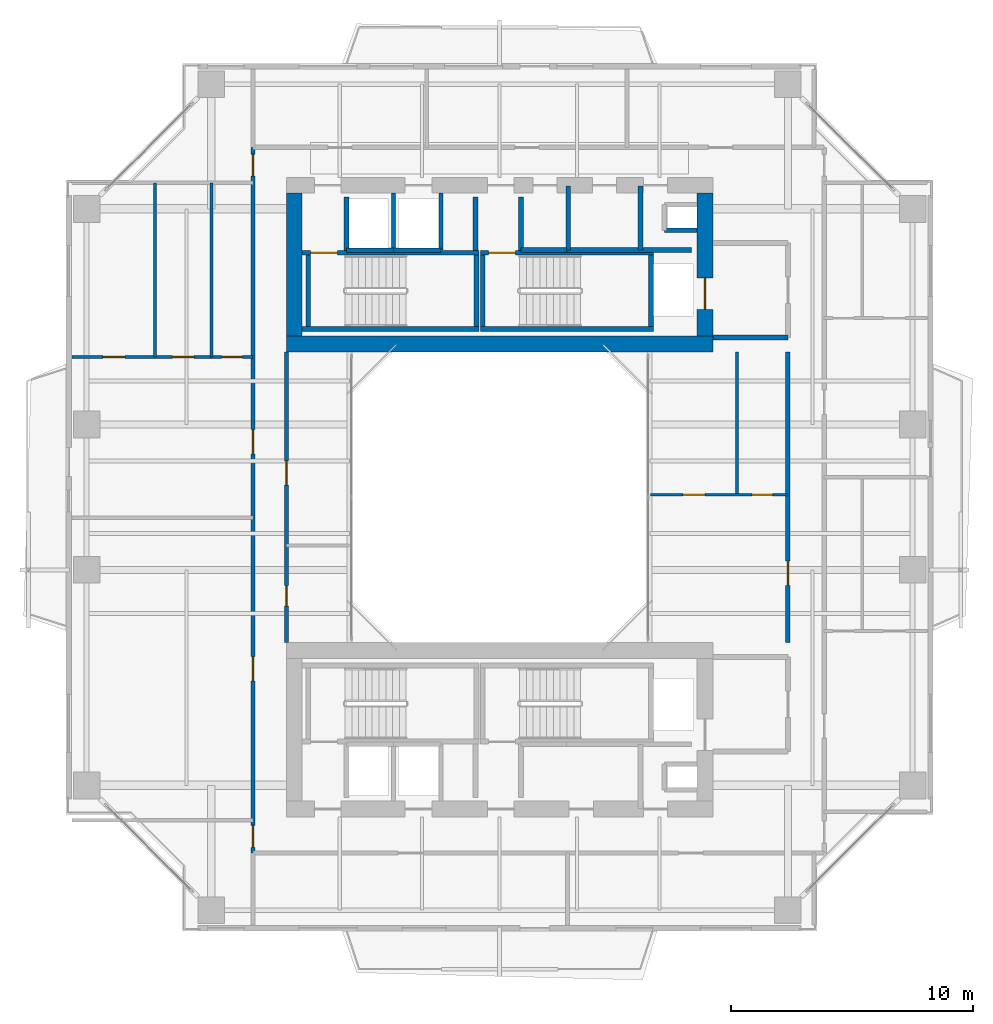
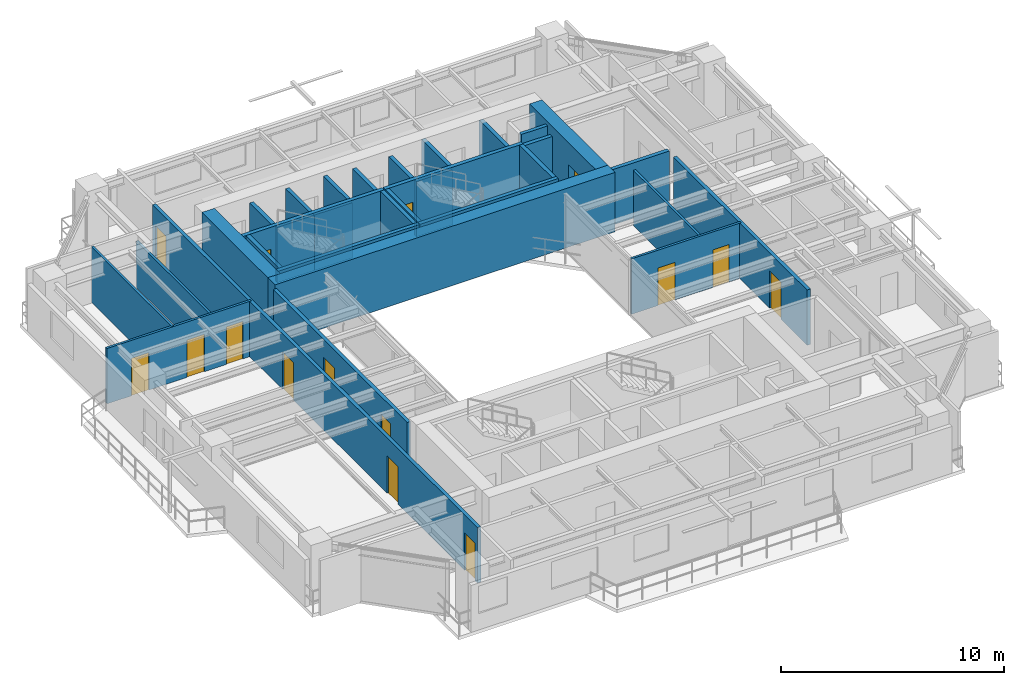
# One storey, part 11 of 16: 32 walls, 15 doors, 15 openings.
"""IFC4 building model written with IfcOpenShell, lengths in metres."""

from ifc_helpers import new_model, si_unit, direction, frame, frame_2d, origin, place, context, subcontext, project, spatial, rectangle, extrude, source, transform, mapped, material, layer, layer_set, type_object, element, fill, save


model = new_model("IFC4")

# Units and contexts
model_context = context("Model", 3, precision=1e-05, world=origin(), true_north=direction((0.0, 1.0)))
body_context = subcontext(model_context, "Body", "Model", "MODEL_VIEW")
ifc_project = project(units=[si_unit("LENGTHUNIT", "METRE"), si_unit("AREAUNIT", "SQUARE_METRE"), si_unit("VOLUMEUNIT", "CUBIC_METRE"), si_unit("PLANEANGLEUNIT", "RADIAN"), si_unit("MASSUNIT", "GRAM", prefix="KILO"), si_unit("THERMODYNAMICTEMPERATUREUNIT", "KELVIN"), si_unit("POWERUNIT", "WATT")], contexts=[model_context])

# Site, building, storey
site_placement = place(None, origin())
site = spatial("IfcSite", under=ifc_project, at=site_placement, CompositionType="ELEMENT")
building_placement = place(site_placement, origin())
building = spatial("IfcBuilding", under=site, at=building_placement, Name="Qiaomeng Ring Towers", CompositionType="ELEMENT")
storey_placement = place(building_placement, frame((0.0, 0.0, 136.0)))
storey = spatial("IfcBuildingStorey", under=building, at=storey_placement, Name="L39", CompositionType="ELEMENT", Elevation=136.0)

# Walls
ifc_material_1 = material(Name="Autoclaved aerated concrete block", Category="concrete")
ifc_layer_1 = layer(ifc_material_1, 0.199951171875, Name="Autoclaved aerated concrete block")
ifc_layer_set_1 = layer_set([ifc_layer_1], Name="Autoclaved aerated concrete block")
wall_type_1 = type_object("IfcWallType", Name="ARC-WL-PW1", PredefinedType="PARTITIONING", material=ifc_layer_set_1)
wall_1_placement = place(storey_placement, frame((27.800048828125, 29.60009765625, 0.0), z_axis=(0.0, 0.0, 1.0), x_axis=(1.0, 0.0, 0.0)))
element("IfcWall", 1, at=wall_1_placement, inside=storey, type_object=wall_type_1, Name="L39 Interior Wall PW1", PredefinedType="PARTITIONING", context=body_context, shape_type="SweptSolid", body=[
    extrude(rectangle(XDim=3.099853515625, YDim=0.199951171875, at=frame_2d((1.5498046875, 0.0))), origin(), (0.0, 0.0, 1.0), 3.030029296875),
])
for number, where, z_axis, x_axis, name in (
    (2, (12.679931640625, 33.18994140625, 0.0), (0.0, 0.0, 1.0), (0.0, 1.0, 0.0), "L39 Interior Wall PW1"),
    (3, (18.0, 33.18994140625, 0.0), (0.0, 0.0, 1.0), (0.0, 1.0, 0.0), "L39 Interior Wall PW1"),
    (4, (19.8798828125, 33.18994140625, 0.0), (0.0, 0.0, 1.0), (0.0, 1.0, 0.0), "L39 Interior Wall PW1"),
):
    element("IfcWall", number, at=place(storey_placement, frame(where, z_axis=z_axis, x_axis=x_axis)), inside=storey, type_object=wall_type_1, Name=name, PredefinedType="PARTITIONING", context=body_context, shape_type="SweptSolid", body=[
        extrude(rectangle(XDim=2.2099609375, YDim=0.199951171875, at=frame_2d((1.10498046875, 0.0))), origin(), (0.0, 0.0, 1.0), 3.030029296875),
    ])
wall_2_placement = place(storey_placement, frame((24.820068359375, 33.199951171875, 0.0), z_axis=(0.0, 0.0, 1.0), x_axis=(0.0, 1.0, 0.0)))
element("IfcWall", 5, at=wall_2_placement, inside=storey, type_object=wall_type_1, Name="L39 Interior Wall PW1", PredefinedType="PARTITIONING", context=body_context, shape_type="SweptSolid", body=[
    extrude(rectangle(XDim=2.650146484375, YDim=0.199951171875, at=frame_2d((1.3251953125, 0.0))), origin(), (0.0, 0.0, 1.0), 3.030029296875),
])
wall_3_placement = place(storey_placement, frame((19.8798828125, 33.199951171875, 0.0), z_axis=(0.0, 0.0, 1.0), x_axis=(1.0, 0.0, 0.0)))
element("IfcWall", 6, at=wall_3_placement, inside=storey, type_object=wall_type_1, Name="L39 Interior Wall PW1", PredefinedType="PARTITIONING", context=body_context, shape_type="SweptSolid", body=[
    extrude(rectangle(XDim=1.8701171875, YDim=0.199951171875, at=frame_2d((0.93505859375, 0.0))), origin(), (0.0, 0.0, 1.0), 3.030029296875),
])
wall_4_placement = place(storey_placement, frame((21.830078125, 33.199951171875, 0.0), z_axis=(0.0, 0.0, 1.0), x_axis=(0.0, 1.0, 0.0)))
element("IfcWall", 7, at=wall_4_placement, inside=storey, type_object=wall_type_1, Name="L39 Interior Wall PW1", PredefinedType="PARTITIONING", context=body_context, shape_type="SweptSolid", body=[
    extrude(rectangle(XDim=2.650146484375, YDim=0.199951171875, at=frame_2d((1.3251953125, 0.0))), origin(), (0.0, 0.0, 1.0), 3.030029296875),
])
wall_5_placement = place(storey_placement, frame((21.75, 33.199951171875, 0.0), z_axis=(0.0, 0.0, 1.0), x_axis=(1.0, 0.0, 0.0)))
element("IfcWall", 8, at=wall_5_placement, inside=storey, type_object=wall_type_1, Name="L39 Interior Wall PW1", PredefinedType="PARTITIONING", context=body_context, shape_type="SweptSolid", body=[
    extrude(rectangle(XDim=5.169921875, YDim=0.199951171875, at=frame_2d((2.5849609375, 0.0))), origin(), (0.0, 0.0, 1.0), 3.030029296875),
])

# Wall, openings, doors
ifc_layer_2 = layer(ifc_material_1, 0.179931640625, Name="Autoclaved aerated concrete block")
ifc_layer_set_2 = layer_set([ifc_layer_2], Name="Autoclaved aerated concrete block")
wall_type_2 = type_object("IfcWallType", Name="ARC-WL-PW2", PredefinedType="PARTITIONING", material=ifc_layer_set_2)
wall_6_placement = place(storey_placement, frame((8.820068359375, 8.31005859375, 0.0), z_axis=(0.0, 0.0, 1.0), x_axis=(0.0, 1.0, 0.0)))
wall_6 = element("IfcWall", 9, at=wall_6_placement, inside=storey, type_object=wall_type_2, Name="L39 Interior Wall PW2", PredefinedType="PARTITIONING", context=body_context, shape_type="SweptSolid", body=[
    extrude(rectangle(XDim=29.1298828125, YDim=0.179931640625, at=frame_2d((14.56494140625, 0.0))), origin(), (0.0, 0.0, 1.0), 3.030029296875),
])
opening_1_placement = place(wall_6_placement, frame((27.93994140625, 0.0, 0.0)))
opening_1 = element("IfcOpeningElement", 10, at=opening_1_placement, cuts=wall_6, Name="Opening ID1", PredefinedType="OPENING", context=body_context, shape_type="SweptSolid", body=[
    extrude(rectangle(XDim=0.89990234375, YDim=2.050048828125, at=frame_2d((0.449951171875, 1.02490234375))), frame((0.0, 0.099853515625, 0.0), z_axis=(0.0, -1.0, 0.0), x_axis=(1.0, 0.0, 0.0)), (0.0, 0.0, 1.0), 0.199951171875),
])
opening_2_placement = place(wall_6_placement, frame((0.239990234375, 0.0, 0.0)))
opening_2 = element("IfcOpeningElement", 11, at=opening_2_placement, cuts=wall_6, Name="Opening ID1", PredefinedType="OPENING", context=body_context, shape_type="SweptSolid", body=[
    extrude(rectangle(XDim=0.89990234375, YDim=2.050048828125, at=frame_2d((0.449951171875, 1.02490234375))), frame((0.0, 0.099853515625, 0.0), z_axis=(0.0, -1.0, 0.0), x_axis=(1.0, 0.0, 0.0)), (0.0, 0.0, 1.0), 0.199951171875),
])
opening_3_placement = place(wall_6_placement, frame((7.10498046875, 0.0, 0.0)))
opening_3 = element("IfcOpeningElement", 12, at=opening_3_placement, cuts=wall_6, Name="Opening FD4", PredefinedType="OPENING", context=body_context, shape_type="SweptSolid", body=[
    extrude(rectangle(XDim=1.0, YDim=2.050048828125, at=frame_2d((0.5, 1.02490234375))), frame((0.0, 0.099853515625, 0.0), z_axis=(0.0, -1.0, 0.0), x_axis=(1.0, 0.0, 0.0)), (0.0, 0.0, 1.0), 0.199951171875),
])
opening_4_placement = place(wall_6_placement, frame((16.47509765625, 0.0, 0.0)))
opening_4 = element("IfcOpeningElement", 13, at=opening_4_placement, cuts=wall_6, Name="Opening FD4", PredefinedType="OPENING", context=body_context, shape_type="SweptSolid", body=[
    extrude(rectangle(XDim=1.0, YDim=2.050048828125, at=frame_2d((0.5, 1.02490234375))), frame((0.0, 0.099853515625, 0.0), z_axis=(0.0, -1.0, 0.0), x_axis=(1.0, 0.0, 0.0)), (0.0, 0.0, 1.0), 0.199951171875),
])
ifc_material_2 = material(Name="Engineered fire-rated oak timber", Category="wood")
door_type_1 = type_object("IfcDoorType", Name="ARC-DR-FD4", OperationType="NOTDEFINED", PredefinedType="DOOR", material=ifc_material_2)
shared_shape_1 = source(origin(), body_context, "Body", "SweptSolid", [
    extrude(rectangle(XDim=1.0, YDim=2.050048828125, at=frame_2d((0.5, 1.02490234375))), frame((0.0, 0.02490234375, 0.0), z_axis=(0.0, -1.0, 0.0), x_axis=(1.0, 0.0, 0.0)), (0.0, 0.0, 1.0), 0.050048828125),
])
door_1_placement = place(opening_3_placement, origin())
door_1 = element("IfcDoor", 14, at=door_1_placement, inside=storey, type_object=door_type_1, Name="L39 Door FD4", OperationType="SINGLE_SWING_RIGHT", OverallHeight=2.050048828125, OverallWidth=1.0, PredefinedType="DOOR", context=body_context, shape_type="MappedRepresentation", body=[
    mapped(shared_shape_1, transform((0.0, 0.0, 0.0), x_axis=(1.0, 0.0, 0.0), y_axis=(0.0, 1.0, 0.0), z_axis=(0.0, 0.0, 1.0), scale=1.0)),
])
fill(opening_3, door_1)
door_2_placement = place(opening_4_placement, origin())
door_2 = element("IfcDoor", 15, at=door_2_placement, inside=storey, type_object=door_type_1, Name="L39 Door FD4", OperationType="SINGLE_SWING_RIGHT", OverallHeight=2.050048828125, OverallWidth=1.0, PredefinedType="DOOR", context=body_context, shape_type="MappedRepresentation", body=[
    mapped(shared_shape_1, transform((0.0, 0.0, 0.0), x_axis=(1.0, 0.0, 0.0), y_axis=(0.0, 1.0, 0.0), z_axis=(0.0, 0.0, 1.0), scale=1.0)),
])
fill(opening_4, door_2)
ifc_material_3 = material(Name="Engineered oak timber", Category="wood")
door_type_2 = type_object("IfcDoorType", Name="ARC-DR-ID1", OperationType="NOTDEFINED", PredefinedType="DOOR", material=ifc_material_3)
shared_shape_2 = source(origin(), body_context, "Body", "SweptSolid", [
    extrude(rectangle(XDim=0.89990234375, YDim=2.050048828125, at=frame_2d((0.449951171875, 1.02490234375))), frame((0.0, 0.02490234375, 0.0), z_axis=(0.0, -1.0, 0.0), x_axis=(1.0, 0.0, 0.0)), (0.0, 0.0, 1.0), 0.050048828125),
])
door_3_placement = place(opening_1_placement, origin())
door_3 = element("IfcDoor", 16, at=door_3_placement, inside=storey, type_object=door_type_2, Name="L39 Door ID1", OperationType="SINGLE_SWING_RIGHT", OverallHeight=2.050048828125, OverallWidth=0.89990234375, PredefinedType="DOOR", context=body_context, shape_type="MappedRepresentation", body=[
    mapped(shared_shape_2, transform((0.0, 0.0, 0.0), x_axis=(1.0, 0.0, 0.0), y_axis=(0.0, 1.0, 0.0), z_axis=(0.0, 0.0, 1.0), scale=1.0)),
])
fill(opening_1, door_3)
door_4_placement = place(opening_2_placement, origin())
door_4 = element("IfcDoor", 17, at=door_4_placement, inside=storey, type_object=door_type_2, Name="L39 Door ID1", OperationType="SINGLE_SWING_LEFT", OverallHeight=2.050048828125, OverallWidth=0.89990234375, PredefinedType="DOOR", context=body_context, shape_type="MappedRepresentation", body=[
    mapped(shared_shape_2, transform((0.0, 0.0, 0.0), x_axis=(1.0, 0.0, 0.0), y_axis=(0.0, 1.0, 0.0), z_axis=(0.0, 0.0, 1.0), scale=1.0)),
])
fill(opening_2, door_4)

wall_7_placement = place(storey_placement, frame((10.199951171875, 17.0, 0.0), z_axis=(0.0, 0.0, 1.0), x_axis=(0.0, 1.0, 0.0)))
wall_7 = element("IfcWall", 18, at=wall_7_placement, inside=storey, type_object=wall_type_2, Name="L39 Interior Wall PW2", PredefinedType="PARTITIONING", context=body_context, shape_type="SweptSolid", body=[
    extrude(rectangle(XDim=12.0, YDim=0.179931640625, at=frame_2d((6.0, 0.0))), origin(), (0.0, 0.0, 1.0), 3.030029296875),
])
opening_5_placement = place(wall_7_placement, frame((1.5, 0.0, 0.0)))
opening_5 = element("IfcOpeningElement", 19, at=opening_5_placement, cuts=wall_7, Name="Opening ID2", PredefinedType="OPENING", context=body_context, shape_type="SweptSolid", body=[
    extrude(rectangle(XDim=0.85009765625, YDim=2.050048828125, at=frame_2d((0.425048828125, 1.02490234375))), frame((0.0, 0.099853515625, 0.0), z_axis=(0.0, -1.0, 0.0), x_axis=(1.0, 0.0, 0.0)), (0.0, 0.0, 1.0), 0.199951171875),
])
opening_6_placement = place(wall_7_placement, frame((6.5, 0.0, 0.0)))
opening_6 = element("IfcOpeningElement", 20, at=opening_6_placement, cuts=wall_7, Name="Opening FD4", PredefinedType="OPENING", context=body_context, shape_type="SweptSolid", body=[
    extrude(rectangle(XDim=1.0, YDim=2.050048828125, at=frame_2d((0.5, 1.02490234375))), frame((0.0, 0.099853515625, 0.0), z_axis=(0.0, -1.0, 0.0), x_axis=(1.0, 0.0, 0.0)), (0.0, 0.0, 1.0), 0.199951171875),
])
door_5_placement = place(opening_6_placement, origin())
door_5 = element("IfcDoor", 21, at=door_5_placement, inside=storey, type_object=door_type_1, Name="L39 Door FD4", OperationType="SINGLE_SWING_RIGHT", OverallHeight=2.050048828125, OverallWidth=1.0, PredefinedType="DOOR", context=body_context, shape_type="MappedRepresentation", body=[
    mapped(shared_shape_1, transform((0.0, 0.0, 0.0), x_axis=(1.0, 0.0, 0.0), y_axis=(0.0, 1.0, 0.0), z_axis=(0.0, 0.0, 1.0), scale=1.0)),
])
fill(opening_6, door_5)
ifc_material_4 = material(Name="Moisture-resistant engineered timber", Category="wood")
door_type_3 = type_object("IfcDoorType", Name="ARC-DR-ID2", OperationType="NOTDEFINED", PredefinedType="DOOR", material=ifc_material_4)
shared_shape_3 = source(origin(), body_context, "Body", "SweptSolid", [
    extrude(rectangle(XDim=0.85009765625, YDim=2.050048828125, at=frame_2d((0.425048828125, 1.02490234375))), frame((0.0, 0.02490234375, 0.0), z_axis=(0.0, -1.0, 0.0), x_axis=(1.0, 0.0, 0.0)), (0.0, 0.0, 1.0), 0.050048828125),
])
door_6_placement = place(opening_5_placement, origin())
door_6 = element("IfcDoor", 22, at=door_6_placement, inside=storey, type_object=door_type_3, Name="L39 Door ID2", OperationType="SINGLE_SWING_LEFT", OverallHeight=2.050048828125, OverallWidth=0.85009765625, PredefinedType="DOOR", context=body_context, shape_type="MappedRepresentation", body=[
    mapped(shared_shape_3, transform((0.0, 0.0, 0.0), x_axis=(1.0, 0.0, 0.0), y_axis=(0.0, 1.0, 0.0), z_axis=(0.0, 0.0, 1.0), scale=1.0)),
])
fill(opening_5, door_6)

# Wall, opening, door
wall_8_placement = place(storey_placement, frame((30.89990234375, 17.0, 0.0), z_axis=(0.0, 0.0, 1.0), x_axis=(0.0, 1.0, 0.0)))
wall_8 = element("IfcWall", 23, at=wall_8_placement, inside=storey, type_object=wall_type_2, Name="L39 Interior Wall PW2", PredefinedType="PARTITIONING", context=body_context, shape_type="SweptSolid", body=[
    extrude(rectangle(XDim=12.0, YDim=0.179931640625, at=frame_2d((6.0, 0.0))), origin(), (0.0, 0.0, 1.0), 3.030029296875),
])
opening_7_placement = place(wall_8_placement, frame((2.360107421875, 0.0, 0.0)))
opening_7 = element("IfcOpeningElement", 24, at=opening_7_placement, cuts=wall_8, Name="Opening FD4", PredefinedType="OPENING", context=body_context, shape_type="SweptSolid", body=[
    extrude(rectangle(XDim=1.0, YDim=2.050048828125, at=frame_2d((0.5, 1.02490234375))), frame((0.0, 0.099853515625, 0.0), z_axis=(0.0, -1.0, 0.0), x_axis=(1.0, 0.0, 0.0)), (0.0, 0.0, 1.0), 0.199951171875),
])
door_7_placement = place(opening_7_placement, origin())
door_7 = element("IfcDoor", 25, at=door_7_placement, inside=storey, type_object=door_type_1, Name="L39 Door FD4", OperationType="SINGLE_SWING_LEFT", OverallHeight=2.050048828125, OverallWidth=1.0, PredefinedType="DOOR", context=body_context, shape_type="MappedRepresentation", body=[
    mapped(shared_shape_1, transform((0.0, 0.0, 0.0), x_axis=(1.0, 0.0, 0.0), y_axis=(0.0, 1.0, 0.0), z_axis=(0.0, 0.0, 1.0), scale=1.0)),
])
fill(opening_7, door_7)

# Wall, openings, doors
ifc_material_5 = material(Name="Moisture-resistant gypsum steel-stud partition", Category="steel")
ifc_layer_3 = layer(ifc_material_5, 0.1201171875, Name="Moisture-resistant gypsum steel-stud partition")
ifc_layer_set_3 = layer_set([ifc_layer_3], Name="Moisture-resistant gypsum steel-stud partition")
wall_type_3 = type_object("IfcWallType", Name="ARC-WL-PW4", PredefinedType="PLUMBINGWALL", material=ifc_layer_set_3)
wall_9_placement = place(storey_placement, frame((1.35009765625, 28.7900390625, 0.0), z_axis=(0.0, 0.0, 1.0), x_axis=(1.0, 0.0, 0.0)))
wall_9 = element("IfcWall", 26, at=wall_9_placement, inside=storey, type_object=wall_type_3, Name="L39 Interior Wall PW4", PredefinedType="PLUMBINGWALL", context=body_context, shape_type="SweptSolid", body=[
    extrude(rectangle(XDim=7.469970703125, YDim=0.1201171875, at=frame_2d((3.73486328125, 0.0))), origin(), (0.0, 0.0, 1.0), 3.030029296875),
])
opening_8_placement = place(wall_9_placement, frame((1.27490234375, 0.0, 0.0)))
opening_8 = element("IfcOpeningElement", 27, at=opening_8_placement, cuts=wall_9, Name="Opening ID1", PredefinedType="OPENING", context=body_context, shape_type="SweptSolid", body=[
    extrude(rectangle(XDim=0.89990234375, YDim=2.050048828125, at=frame_2d((0.449951171875, 1.02490234375))), frame((0.0, 0.070068359375, 0.0), z_axis=(0.0, -1.0, 0.0), x_axis=(1.0, 0.0, 0.0)), (0.0, 0.0, 1.0), 0.14013671875),
])
opening_9_placement = place(wall_9_placement, frame((4.139892578125, 0.0, 0.0)))
opening_9 = element("IfcOpeningElement", 28, at=opening_9_placement, cuts=wall_9, Name="Opening ID1", PredefinedType="OPENING", context=body_context, shape_type="SweptSolid", body=[
    extrude(rectangle(XDim=0.89990234375, YDim=2.050048828125, at=frame_2d((0.449951171875, 1.02490234375))), frame((0.0, 0.070068359375, 0.0), z_axis=(0.0, -1.0, 0.0), x_axis=(1.0, 0.0, 0.0)), (0.0, 0.0, 1.0), 0.14013671875),
])
opening_10_placement = place(wall_9_placement, frame((6.175048828125, 0.0, 0.0)))
opening_10 = element("IfcOpeningElement", 29, at=opening_10_placement, cuts=wall_9, Name="Opening ID2", PredefinedType="OPENING", context=body_context, shape_type="SweptSolid", body=[
    extrude(rectangle(XDim=0.85009765625, YDim=2.050048828125, at=frame_2d((0.425048828125, 1.02490234375))), frame((0.0, 0.070068359375, 0.0), z_axis=(0.0, -1.0, 0.0), x_axis=(1.0, 0.0, 0.0)), (0.0, 0.0, 1.0), 0.14013671875),
])
door_8_placement = place(opening_10_placement, origin())
door_8 = element("IfcDoor", 30, at=door_8_placement, inside=storey, type_object=door_type_3, Name="L39 Door ID2", OperationType="SINGLE_SWING_LEFT", OverallHeight=2.050048828125, OverallWidth=0.85009765625, PredefinedType="DOOR", context=body_context, shape_type="MappedRepresentation", body=[
    mapped(shared_shape_3, transform((0.0, 0.0, 0.0), x_axis=(1.0, 0.0, 0.0), y_axis=(0.0, 1.0, 0.0), z_axis=(0.0, 0.0, 1.0), scale=1.0)),
])
fill(opening_10, door_8)
door_9_placement = place(opening_8_placement, origin())
door_9 = element("IfcDoor", 31, at=door_9_placement, inside=storey, type_object=door_type_2, Name="L39 Door ID1", OperationType="SINGLE_SWING_LEFT", OverallHeight=2.050048828125, OverallWidth=0.89990234375, PredefinedType="DOOR", context=body_context, shape_type="MappedRepresentation", body=[
    mapped(shared_shape_2, transform((0.0, 0.0, 0.0), x_axis=(1.0, 0.0, 0.0), y_axis=(0.0, 1.0, 0.0), z_axis=(0.0, 0.0, 1.0), scale=1.0)),
])
fill(opening_8, door_9)
door_10_placement = place(opening_9_placement, origin())
door_10 = element("IfcDoor", 32, at=door_10_placement, inside=storey, type_object=door_type_2, Name="L39 Door ID1", OperationType="SINGLE_SWING_RIGHT", OverallHeight=2.050048828125, OverallWidth=0.89990234375, PredefinedType="DOOR", context=body_context, shape_type="MappedRepresentation", body=[
    mapped(shared_shape_2, transform((0.0, 0.0, 0.0), x_axis=(1.0, 0.0, 0.0), y_axis=(0.0, 1.0, 0.0), z_axis=(0.0, 0.0, 1.0), scale=1.0)),
])
fill(opening_9, door_10)

# Walls
wall_10_placement = place(storey_placement, frame((4.780029296875, 28.7900390625, 0.0), z_axis=(0.0, 0.0, 1.0), x_axis=(0.0, 1.0, 0.0)))
element("IfcWall", 33, at=wall_10_placement, inside=storey, type_object=wall_type_3, Name="L39 Interior Wall PW4", PredefinedType="PLUMBINGWALL", context=body_context, shape_type="SweptSolid", body=[
    extrude(rectangle(XDim=7.18994140625, YDim=0.1201171875, at=frame_2d((3.594970703125, 0.0))), origin(), (0.0, 0.0, 1.0), 3.030029296875),
])
wall_11_placement = place(storey_placement, frame((7.10009765625, 28.7900390625, 0.0), z_axis=(0.0, 0.0, 1.0), x_axis=(0.0, 1.0, 0.0)))
element("IfcWall", 34, at=wall_11_placement, inside=storey, type_object=wall_type_3, Name="L39 Interior Wall PW4", PredefinedType="PLUMBINGWALL", context=body_context, shape_type="SweptSolid", body=[
    extrude(rectangle(XDim=7.18994140625, YDim=0.1201171875, at=frame_2d((3.594970703125, 0.0))), origin(), (0.0, 0.0, 1.0), 2.537109375),
])

# Wall, openings, doors
wall_12_placement = place(storey_placement, frame((25.219970703125, 23.10009765625, 0.0), z_axis=(0.0, 0.0, 1.0), x_axis=(1.0, 0.0, 0.0)))
wall_12 = element("IfcWall", 35, at=wall_12_placement, inside=storey, type_object=wall_type_3, Name="L39 Interior Wall PW4", PredefinedType="PLUMBINGWALL", context=body_context, shape_type="SweptSolid", body=[
    extrude(rectangle(XDim=5.679931640625, YDim=0.1201171875, at=frame_2d((2.83984375, 0.0))), origin(), (0.0, 0.0, 1.0), 3.030029296875),
])
opening_11_placement = place(wall_12_placement, frame((1.35009765625, 0.0, 0.0)))
opening_11 = element("IfcOpeningElement", 36, at=opening_11_placement, cuts=wall_12, Name="Opening ID1", PredefinedType="OPENING", context=body_context, shape_type="SweptSolid", body=[
    extrude(rectangle(XDim=0.89990234375, YDim=2.050048828125, at=frame_2d((0.449951171875, 1.02490234375))), frame((0.0, 0.070068359375, 0.0), z_axis=(0.0, -1.0, 0.0), x_axis=(1.0, 0.0, 0.0)), (0.0, 0.0, 1.0), 0.14013671875),
])
opening_12_placement = place(wall_12_placement, frame((4.195068359375, 0.0, 0.0)))
opening_12 = element("IfcOpeningElement", 37, at=opening_12_placement, cuts=wall_12, Name="Opening ID2", PredefinedType="OPENING", context=body_context, shape_type="SweptSolid", body=[
    extrude(rectangle(XDim=0.85009765625, YDim=2.050048828125, at=frame_2d((0.425048828125, 1.02490234375))), frame((0.0, 0.070068359375, 0.0), z_axis=(0.0, -1.0, 0.0), x_axis=(1.0, 0.0, 0.0)), (0.0, 0.0, 1.0), 0.14013671875),
])
door_11_placement = place(opening_12_placement, origin())
door_11 = element("IfcDoor", 38, at=door_11_placement, inside=storey, type_object=door_type_3, Name="L39 Door ID2", OperationType="SINGLE_SWING_RIGHT", OverallHeight=2.050048828125, OverallWidth=0.85009765625, PredefinedType="DOOR", context=body_context, shape_type="MappedRepresentation", body=[
    mapped(shared_shape_3, transform((0.0, 0.0, 0.0), x_axis=(1.0, 0.0, 0.0), y_axis=(0.0, 1.0, 0.0), z_axis=(0.0, 0.0, 1.0), scale=1.0)),
])
fill(opening_12, door_11)
door_12_placement = place(opening_11_placement, origin())
door_12 = element("IfcDoor", 39, at=door_12_placement, inside=storey, type_object=door_type_2, Name="L39 Door ID1", OperationType="SINGLE_SWING_LEFT", OverallHeight=2.050048828125, OverallWidth=0.89990234375, PredefinedType="DOOR", context=body_context, shape_type="MappedRepresentation", body=[
    mapped(shared_shape_2, transform((0.0, 0.0, 0.0), x_axis=(1.0, 0.0, 0.0), y_axis=(0.0, 1.0, 0.0), z_axis=(0.0, 0.0, 1.0), scale=1.0)),
])
fill(opening_11, door_12)

# Walls
wall_13_placement = place(storey_placement, frame((28.800048828125, 23.10009765625, 0.0), z_axis=(0.0, 0.0, 1.0), x_axis=(0.0, 1.0, 0.0)))
element("IfcWall", 40, at=wall_13_placement, inside=storey, type_object=wall_type_3, Name="L39 Interior Wall PW4", PredefinedType="PLUMBINGWALL", context=body_context, shape_type="SweptSolid", body=[
    extrude(rectangle(XDim=5.89990234375, YDim=0.1201171875, at=frame_2d((2.949951171875, 0.0))), origin(), (0.0, 0.0, 1.0), 3.030029296875),
])
ifc_material_6 = material(Name="Concrete C40", Category="concrete")
ifc_layer_4 = layer(ifc_material_6, 0.199951171875, Name="Concrete C40")
ifc_layer_set_4 = layer_set([ifc_layer_4], Name="Concrete C40")
wall_type_4 = type_object("IfcWallType", Name="STR-WL-STSHAFT", PredefinedType="SHEAR", material=ifc_layer_set_4)
wall_14_placement = place(storey_placement, frame((12.679931640625, 33.199951171875, 0.0), z_axis=(0.0, 0.0, 1.0), x_axis=(1.0, 0.0, 0.0)))
element("IfcWall", 41, at=wall_14_placement, inside=storey, type_object=wall_type_4, Name="L39 Lift LP5 Shaft Back Wall", PredefinedType="SHEAR", context=body_context, shape_type="SweptSolid", body=[
    extrude(rectangle(XDim=1.940185546875, YDim=0.179931640625, at=frame_2d((0.97021484375, 0.0))), origin(), (0.0, 0.0, 1.0), 3.030029296875),
])
wall_15_placement = place(storey_placement, frame((14.6201171875, 33.199951171875, 0.0), z_axis=(0.0, 0.0, 1.0), x_axis=(0.0, 1.0, 0.0)))
element("IfcWall", 42, at=wall_15_placement, inside=storey, type_object=wall_type_4, Name="L39 Lift LP5-LP3 Shaft Divider Wall", PredefinedType="SHEAR", context=body_context, shape_type="SweptSolid", body=[
    extrude(rectangle(XDim=2.35009765625, YDim=0.179931640625, at=frame_2d((1.175048828125, 0.0))), origin(), (0.0, 0.0, 1.0), 3.030029296875),
])
wall_16_placement = place(storey_placement, frame((25.800048828125, 34.02001953125, 0.0), z_axis=(0.0, 0.0, 1.0), x_axis=(1.0, 0.0, 0.0)))
element("IfcWall", 43, at=wall_16_placement, inside=storey, type_object=wall_type_4, Name="L39 Riser RSR1 South Shaft Wall N", PredefinedType="SHEAR", context=body_context, shape_type="SweptSolid", body=[
    extrude(rectangle(XDim=1.349853515625, YDim=0.179931640625, at=frame_2d((0.6748046875, 0.0))), origin(), (0.0, 0.0, 1.0), 3.030029296875),
])
wall_17_placement = place(storey_placement, frame((14.6201171875, 33.199951171875, 0.0), z_axis=(0.0, 0.0, 1.0), x_axis=(1.0, 0.0, 0.0)))
element("IfcWall", 44, at=wall_17_placement, inside=storey, type_object=wall_type_4, Name="L39 Lift LP3 Shaft Back Wall", PredefinedType="SHEAR", context=body_context, shape_type="SweptSolid", body=[
    extrude(rectangle(XDim=1.9599609375, YDim=0.179931640625, at=frame_2d((0.97998046875, 0.0))), origin(), (0.0, 0.0, 1.0), 3.030029296875),
])
wall_18_placement = place(storey_placement, frame((16.580078125, 33.199951171875, 0.0), z_axis=(0.0, 0.0, 1.0), x_axis=(0.0, 1.0, 0.0)))
element("IfcWall", 45, at=wall_18_placement, inside=storey, type_object=wall_type_4, Name="L39 Lift LP3 East Shaft Wall", PredefinedType="SHEAR", context=body_context, shape_type="SweptSolid", body=[
    extrude(rectangle(XDim=2.35009765625, YDim=0.179931640625, at=frame_2d((1.175048828125, 0.0))), origin(), (0.0, 0.0, 1.0), 3.030029296875),
])
wall_19_placement = place(storey_placement, frame((10.85009765625, 29.949951171875, 0.0), z_axis=(0.0, 0.0, 1.0), x_axis=(1.0, 0.0, 0.0)))
element("IfcWall", 46, at=wall_19_placement, inside=storey, type_object=wall_type_4, Name="L39 Stair ST1 South Shaft Shear Wall", PredefinedType="SHEAR", context=body_context, shape_type="SweptSolid", body=[
    extrude(rectangle(XDim=7.2998046875, YDim=0.199951171875, at=frame_2d((3.64990234375, 0.0))), origin(), (0.0, 0.0, 1.0), 3.25),
])

# Wall, opening, door
wall_20_placement = place(storey_placement, frame((10.85009765625, 33.090087890625, 0.0), z_axis=(0.0, 0.0, 1.0), x_axis=(1.0, 0.0, 0.0)))
wall_20 = element("IfcWall", 47, at=wall_20_placement, inside=storey, type_object=wall_type_4, Name="L39 Stair ST1 North Shaft Shear Wall", PredefinedType="SHEAR", context=body_context, shape_type="SweptSolid", body=[
    extrude(rectangle(XDim=7.2998046875, YDim=0.199951171875, at=frame_2d((3.64990234375, 0.0))), origin(), (0.0, 0.0, 1.0), 3.25),
])
opening_13_placement = place(wall_20_placement, frame((0.35009765625, 0.0, 0.0)))
opening_13 = element("IfcOpeningElement", 48, at=opening_13_placement, cuts=wall_20, Name="Opening FD3", PredefinedType="OPENING", context=body_context, shape_type="SweptSolid", body=[
    extrude(rectangle(XDim=1.10009765625, YDim=2.050048828125, at=frame_2d((0.550048828125, 1.02490234375))), frame((0.0, 0.10986328125, 0.0), z_axis=(0.0, -1.0, 0.0), x_axis=(1.0, 0.0, 0.0)), (0.0, 0.0, 1.0), 0.219970703125),
])
ifc_material_7 = material(Name="Galvanised steel", Category="steel")
door_type_4 = type_object("IfcDoorType", Name="ARC-DR-FD3", OperationType="NOTDEFINED", PredefinedType="DOOR", material=ifc_material_7)
shared_shape_4 = source(origin(), body_context, "Body", "SweptSolid", [
    extrude(rectangle(XDim=1.10009765625, YDim=2.050048828125, at=frame_2d((0.550048828125, 1.02490234375))), frame((0.0, 0.02490234375, 0.0), z_axis=(0.0, -1.0, 0.0), x_axis=(1.0, 0.0, 0.0)), (0.0, 0.0, 1.0), 0.050048828125),
])
door_13_placement = place(opening_13_placement, origin())
door_13 = element("IfcDoor", 49, at=door_13_placement, inside=storey, type_object=door_type_4, Name="L39 Stair ST1 Exit Door", OperationType="SINGLE_SWING_LEFT", OverallHeight=2.050048828125, OverallWidth=1.10009765625, PredefinedType="DOOR", context=body_context, shape_type="MappedRepresentation", body=[
    mapped(shared_shape_4, transform((0.0, 0.0, 0.0), x_axis=(1.0, 0.0, 0.0), y_axis=(0.0, 1.0, 0.0), z_axis=(0.0, 0.0, 1.0), scale=1.0)),
])
fill(opening_13, door_13)

# Walls
for number, where, z_axis, x_axis, name in (
    (50, (11.10009765625, 30.050048828125, 0.0), (0.0, 0.0, 1.0), (0.0, 1.0, 0.0), "L39 Stair ST1 West Shaft Shear Wall"),
    (51, (18.050048828125, 30.050048828125, 0.0), (0.0, 0.0, 1.0), (0.0, 1.0, 0.0), "L39 Stair ST1 East Shaft Shear Wall"),
):
    element("IfcWall", number, at=place(storey_placement, frame(where, z_axis=z_axis, x_axis=x_axis)), inside=storey, type_object=wall_type_4, Name=name, PredefinedType="SHEAR", context=body_context, shape_type="SweptSolid", body=[
        extrude(rectangle(XDim=2.93994140625, YDim=0.199951171875, at=frame_2d((1.469970703125, 0.0))), origin(), (0.0, 0.0, 1.0), 3.25),
    ])
wall_21_placement = place(storey_placement, frame((18.199951171875, 29.949951171875, 0.0), z_axis=(0.0, 0.0, 1.0), x_axis=(1.0, 0.0, 0.0)))
element("IfcWall", 52, at=wall_21_placement, inside=storey, type_object=wall_type_4, Name="L39 Stair ST2 South Shaft Shear Wall", PredefinedType="SHEAR", context=body_context, shape_type="SweptSolid", body=[
    extrude(rectangle(XDim=7.150146484375, YDim=0.199951171875, at=frame_2d((3.5751953125, 0.0))), origin(), (0.0, 0.0, 1.0), 3.25),
])

# Wall, opening, door
wall_22_placement = place(storey_placement, frame((18.199951171875, 33.090087890625, 0.0), z_axis=(0.0, 0.0, 1.0), x_axis=(1.0, 0.0, 0.0)))
wall_22 = element("IfcWall", 53, at=wall_22_placement, inside=storey, type_object=wall_type_4, Name="L39 Stair ST2 North Shaft Shear Wall", PredefinedType="SHEAR", context=body_context, shape_type="SweptSolid", body=[
    extrude(rectangle(XDim=7.150146484375, YDim=0.199951171875, at=frame_2d((3.5751953125, 0.0))), origin(), (0.0, 0.0, 1.0), 3.25),
])
opening_14_placement = place(wall_22_placement, frame((0.35009765625, 0.0, 0.0)))
opening_14 = element("IfcOpeningElement", 54, at=opening_14_placement, cuts=wall_22, Name="Opening FD3", PredefinedType="OPENING", context=body_context, shape_type="SweptSolid", body=[
    extrude(rectangle(XDim=1.10009765625, YDim=2.050048828125, at=frame_2d((0.550048828125, 1.02490234375))), frame((0.0, 0.10986328125, 0.0), z_axis=(0.0, -1.0, 0.0), x_axis=(1.0, 0.0, 0.0)), (0.0, 0.0, 1.0), 0.219970703125),
])
door_14_placement = place(opening_14_placement, origin())
door_14 = element("IfcDoor", 55, at=door_14_placement, inside=storey, type_object=door_type_4, Name="L39 Stair ST2 Exit Door", OperationType="SINGLE_SWING_LEFT", OverallHeight=2.050048828125, OverallWidth=1.10009765625, PredefinedType="DOOR", context=body_context, shape_type="MappedRepresentation", body=[
    mapped(shared_shape_4, transform((0.0, 0.0, 0.0), x_axis=(1.0, 0.0, 0.0), y_axis=(0.0, 1.0, 0.0), z_axis=(0.0, 0.0, 1.0), scale=1.0)),
])
fill(opening_14, door_14)

# Walls
for number, where, z_axis, x_axis, name in (
    (56, (18.300048828125, 30.050048828125, 0.0), (0.0, 0.0, 1.0), (0.0, 1.0, 0.0), "L39 Stair ST2 West Shaft Shear Wall"),
    (57, (25.25, 30.050048828125, 0.0), (0.0, 0.0, 1.0), (0.0, 1.0, 0.0), "L39 Stair ST2 East Shaft Shear Wall"),
):
    element("IfcWall", number, at=place(storey_placement, frame(where, z_axis=z_axis, x_axis=x_axis)), inside=storey, type_object=wall_type_4, Name=name, PredefinedType="SHEAR", context=body_context, shape_type="SweptSolid", body=[
        extrude(rectangle(XDim=2.93994140625, YDim=0.199951171875, at=frame_2d((1.469970703125, 0.0))), origin(), (0.0, 0.0, 1.0), 3.25),
    ])
ifc_material_8 = material(Name="Concrete C55", Category="concrete")
ifc_layer_5 = layer(ifc_material_8, 0.64990234375, Name="Concrete C55")
ifc_layer_set_5 = layer_set([ifc_layer_5], Name="Concrete C55")
wall_type_5 = type_object("IfcWallType", Name="STR-WL-SW2A", PredefinedType="SHEAR", material=ifc_layer_set_5)
wall_23_placement = place(storey_placement, frame((10.199951171875, 29.324951171875, 0.0), z_axis=(0.0, 0.0, 1.0), x_axis=(1.0, 0.0, 0.0)))
element("IfcWall", 58, at=wall_23_placement, inside=storey, type_object=wall_type_5, Name="L39 T1NC south core shear wall", PredefinedType="SHEAR", context=body_context, shape_type="SweptSolid", body=[
    extrude(rectangle(XDim=17.60009765625, YDim=0.64990234375, at=frame_2d((8.800048828125, 0.0))), origin(), (0.0, 0.0, 1.0), 3.25),
])
wall_24_placement = place(storey_placement, frame((10.52490234375, 29.64990234375, 0.0), z_axis=(0.0, 0.0, 1.0), x_axis=(0.0, 1.0, 0.0)))
element("IfcWall", 59, at=wall_24_placement, inside=storey, type_object=wall_type_5, Name="L39 T1NC west core shear wall", PredefinedType="SHEAR", context=body_context, shape_type="SweptSolid", body=[
    extrude(rectangle(XDim=5.900146484375, YDim=0.64990234375, at=frame_2d((2.9501953125, 0.0))), origin(), (0.0, 0.0, 1.0), 3.25),
])

# Wall, opening, door
wall_25_placement = place(storey_placement, frame((27.47509765625, 29.64990234375, 0.0), z_axis=(0.0, 0.0, 1.0), x_axis=(0.0, 1.0, 0.0)))
wall_25 = element("IfcWall", 60, at=wall_25_placement, inside=storey, type_object=wall_type_5, Name="L39 T1NC east core shear wall", PredefinedType="SHEAR", context=body_context, shape_type="SweptSolid", body=[
    extrude(rectangle(XDim=5.900146484375, YDim=0.64990234375, at=frame_2d((2.9501953125, 0.0))), origin(), (0.0, 0.0, 1.0), 3.25),
])
opening_15_placement = place(wall_25_placement, frame((1.10009765625, 0.0, 0.0)))
opening_15 = element("IfcOpeningElement", 61, at=opening_15_placement, cuts=wall_25, Name="Opening LD2", PredefinedType="OPENING", context=body_context, shape_type="SweptSolid", body=[
    extrude(rectangle(XDim=1.300048828125, YDim=2.050048828125, at=frame_2d((0.64990234375, 1.02490234375))), frame((0.0, 0.3349609375, 0.0), z_axis=(0.0, -1.0, 0.0), x_axis=(1.0, 0.0, 0.0)), (0.0, 0.0, 1.0), 0.669921875),
])
ifc_material_9 = material(Name="Stainless steel 316", Category="steel")
door_type_5 = type_object("IfcDoorType", Name="ARC-DR-LD2", OperationType="NOTDEFINED", PredefinedType="DOOR", material=ifc_material_9)
shared_shape_5 = source(origin(), body_context, "Body", "SweptSolid", [
    extrude(rectangle(XDim=1.300048828125, YDim=2.050048828125, at=frame_2d((0.64990234375, 1.02490234375))), frame((0.0, 0.02490234375, 0.0), z_axis=(0.0, -1.0, 0.0), x_axis=(1.0, 0.0, 0.0)), (0.0, 0.0, 1.0), 0.050048828125),
])
door_15_placement = place(opening_15_placement, origin())
door_15 = element("IfcDoor", 62, at=door_15_placement, inside=storey, type_object=door_type_5, Name="L39 Firefighting Lift FL1 Landing Door", OperationType="SLIDING_TO_LEFT", OverallHeight=2.050048828125, OverallWidth=1.300048828125, PredefinedType="DOOR", context=body_context, shape_type="MappedRepresentation", body=[
    mapped(shared_shape_5, transform((0.0, 0.0, 0.0), x_axis=(1.0, 0.0, 0.0), y_axis=(0.0, 1.0, 0.0), z_axis=(0.0, 0.0, 1.0), scale=1.0)),
])
fill(opening_15, door_15)

save(model, "model.ifc")
